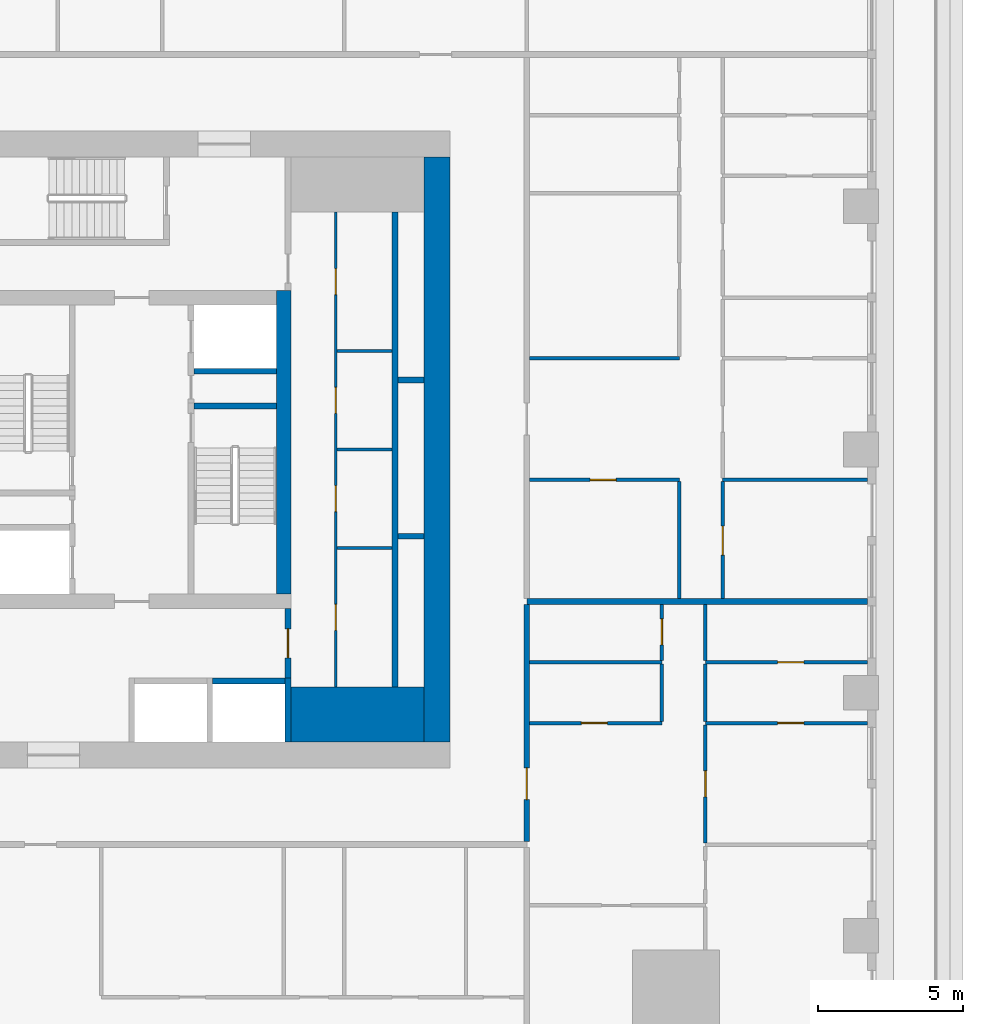
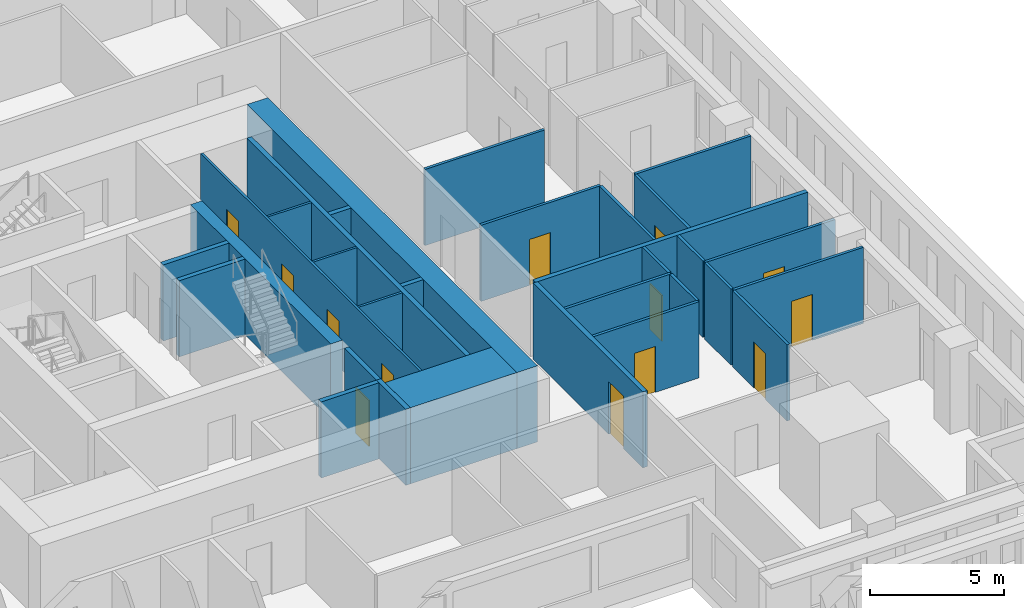
# One storey, part 5 of 14: 31 walls, 13 doors, 13 openings.
"""IFC4 building model written with IfcOpenShell, lengths in metres."""

from ifc_helpers import new_model, si_unit, direction, frame, frame_2d, origin, place, context, subcontext, project, spatial, rectangle, extrude, material, layer, layer_set, type_object, element, fill, save


model = new_model("IFC4")

# Units and contexts
model_context = context("Model", 3, precision=1e-05, world=origin(), true_north=direction((0.0, 1.0)))
body_context = subcontext(model_context, "Body", "Model", "MODEL_VIEW")
ifc_project = project(units=[si_unit("LENGTHUNIT", "METRE"), si_unit("AREAUNIT", "SQUARE_METRE"), si_unit("VOLUMEUNIT", "CUBIC_METRE"), si_unit("PLANEANGLEUNIT", "RADIAN"), si_unit("MASSUNIT", "GRAM", prefix="KILO")], contexts=[model_context])

# Site, building, storey
site_placement = place(None, origin())
site = spatial("IfcSite", under=ifc_project, at=site_placement, CompositionType="ELEMENT")
building_placement = place(site_placement, origin())
building = spatial("IfcBuilding", under=site, at=building_placement, Name="Khepri Terraces", CompositionType="ELEMENT")
storey_placement = place(building_placement, frame((0.0, 0.0, 62.10009765625)))
storey = spatial("IfcBuildingStorey", under=building, at=storey_placement, Name="L14", CompositionType="ELEMENT", Elevation=62.10009765625)

# Walls
ifc_material_1 = material(Name="Concrete C80/95", Category="concrete")
ifc_layer_1 = layer(ifc_material_1, 1.89990234375, Name="Concrete C80/95", Category="concrete")
ifc_layer_set_1 = layer_set([ifc_layer_1], Name="Concrete C80/95")
wall_type_1 = type_object("IfcWallType", Name="Core wall 1900 C80/95", PredefinedType="SHEAR", material=ifc_layer_set_1)
wall_1_placement = place(storey_placement, frame((5.5, -9.14990234375, 0.0), z_axis=(0.0, 0.0, 1.0), x_axis=(1.0, 0.0, 0.0)))
element("IfcWall", 1, at=wall_1_placement, inside=storey, type_object=wall_type_1, Name="Core wall PR02 L14", PredefinedType="SHEAR", context=body_context, shape_type="SweptSolid", body=[
    extrude(rectangle(XDim=4.60009765625, YDim=1.89990234375, at=frame_2d((2.300048828125, 0.0))), origin(), (0.0, 0.0, 1.0), 3.47998046875),
])
ifc_layer_2 = layer(ifc_material_1, 0.199951171875, Name="Concrete C80/95", Category="concrete")
ifc_layer_set_2 = layer_set([ifc_layer_2], Name="Concrete C80/95")
wall_type_2 = type_object("IfcWallType", Name="Core wall 200 C80/95", PredefinedType="SHEAR", material=ifc_layer_set_2)
wall_2_placement = place(storey_placement, frame((2.14990234375, 1.5, 0.0), z_axis=(0.0, 0.0, 1.0), x_axis=(1.0, 0.0, 0.0)))
element("IfcWall", 2, at=wall_2_placement, inside=storey, type_object=wall_type_2, Name="Core wall ST04 L14", PredefinedType="SHEAR", context=body_context, shape_type="SweptSolid", body=[
    extrude(rectangle(XDim=2.85009765625, YDim=0.199951171875, at=frame_2d((1.425048828125, 0.0))), origin(), (0.0, 0.0, 1.0), 3.47998046875),
])
wall_3_placement = place(storey_placement, frame((5.39990234375, -10.10009765625, 0.0), z_axis=(0.0, 0.0, 1.0), x_axis=(0.0, 1.0, 0.0)))
element("IfcWall", 3, at=wall_3_placement, inside=storey, type_object=wall_type_2, Name="Core wall SH03 L14", PredefinedType="SHEAR", context=body_context, shape_type="SweptSolid", body=[
    extrude(rectangle(XDim=2.2001953125, YDim=0.199951171875, at=frame_2d((1.10009765625, 0.0))), origin(), (0.0, 0.0, 1.0), 3.47998046875),
])
wall_4_placement = place(storey_placement, frame((9.10009765625, -8.199951171875, 0.0), z_axis=(0.0, 0.0, 1.0), x_axis=(0.0, 1.0, 0.0)))
element("IfcWall", 4, at=wall_4_placement, inside=storey, type_object=wall_type_2, Name="Core wall SH05 L14", PredefinedType="SHEAR", context=body_context, shape_type="SweptSolid", body=[
    extrude(rectangle(XDim=16.39990234375, YDim=0.199951171875, at=frame_2d((8.199951171875, 0.0))), origin(), (0.0, 0.0, 1.0), 3.47998046875),
])
wall_5_placement = place(storey_placement, frame((2.800048828125, -8.0, 0.0), z_axis=(0.0, 0.0, 1.0), x_axis=(1.0, 0.0, 0.0)))
element("IfcWall", 5, at=wall_5_placement, inside=storey, type_object=wall_type_2, Name="Core wall SH07 L14", PredefinedType="SHEAR", context=body_context, shape_type="SweptSolid", body=[
    extrude(rectangle(XDim=2.5, YDim=0.199951171875, at=frame_2d((1.25, 0.0))), origin(), (0.0, 0.0, 1.0), 3.47998046875),
])
for number, where, z_axis, x_axis, name in (
    (6, (9.199951171875, -3.0, 0.0), (0.0, 0.0, 1.0), (1.0, 0.0, 0.0), "Core wall SH11 L14"),
    (7, (9.199951171875, 2.39990234375, 0.0), (0.0, 0.0, 1.0), (1.0, 0.0, 0.0), "Core wall SH16 L14"),
):
    element("IfcWall", number, at=place(storey_placement, frame(where, z_axis=z_axis, x_axis=x_axis)), inside=storey, type_object=wall_type_2, Name=name, PredefinedType="SHEAR", context=body_context, shape_type="SweptSolid", body=[
        extrude(rectangle(XDim=0.900146484375, YDim=0.199951171875, at=frame_2d((0.4501953125, 0.0))), origin(), (0.0, 0.0, 1.0), 3.47998046875),
    ])
wall_6_placement = place(storey_placement, frame((2.14990234375, 2.699951171875, 0.0), z_axis=(0.0, 0.0, 1.0), x_axis=(1.0, 0.0, 0.0)))
element("IfcWall", 8, at=wall_6_placement, inside=storey, type_object=wall_type_2, Name="Core wall SH18 L14", PredefinedType="SHEAR", context=body_context, shape_type="SweptSolid", body=[
    extrude(rectangle(XDim=2.85009765625, YDim=0.199951171875, at=frame_2d((1.425048828125, 0.0))), origin(), (0.0, 0.0, 1.0), 3.47998046875),
])
ifc_layer_3 = layer(ifc_material_1, 0.5, Name="Concrete C80/95", Category="concrete")
ifc_layer_set_3 = layer_set([ifc_layer_3], Name="Concrete C80/95")
wall_type_3 = type_object("IfcWallType", Name="Core wall 500 C80/95", PredefinedType="SHEAR", material=ifc_layer_set_3)
wall_7_placement = place(storey_placement, frame((5.25, -5.0, 0.0), z_axis=(0.0, 0.0, 1.0), x_axis=(0.0, 1.0, 0.0)))
element("IfcWall", 9, at=wall_7_placement, inside=storey, type_object=wall_type_3, Name="Core wall BX03 L14", PredefinedType="SHEAR", context=body_context, shape_type="SweptSolid", body=[
    extrude(rectangle(XDim=10.5, YDim=0.5, at=frame_2d((5.25, 0.0))), origin(), (0.0, 0.0, 1.0), 3.47998046875),
])
ifc_layer_4 = layer(ifc_material_1, 0.89990234375, Name="Concrete C80/95", Category="concrete")
ifc_layer_set_4 = layer_set([ifc_layer_4], Name="Concrete C80/95")
wall_type_4 = type_object("IfcWallType", Name="Core wall 900 C80/95", PredefinedType="SHEAR", material=ifc_layer_set_4)
wall_8_placement = place(storey_placement, frame((10.550048828125, -10.10009765625, 0.0), z_axis=(0.0, 0.0, 1.0), x_axis=(0.0, 1.0, 0.0)))
element("IfcWall", 10, at=wall_8_placement, inside=storey, type_object=wall_type_4, Name="Core wall OW-E L14", PredefinedType="SHEAR", context=body_context, shape_type="SweptSolid", body=[
    extrude(rectangle(XDim=20.2001953125, YDim=0.89990234375, at=frame_2d((10.10009765625, 0.0))), origin(), (0.0, 0.0, 1.0), 3.47998046875),
])

# Wall, openings, doors
ifc_material_2 = material(Name="Fire-rated gypsum board partition")
ifc_layer_5 = layer(ifc_material_2, 0.10009765625, Name="Fire-rated gypsum board partition")
ifc_layer_set_5 = layer_set([ifc_layer_5], Name="Fire-rated gypsum board partition")
wall_type_5 = type_object("IfcWallType", Name="WL-CORE-PART-100", PredefinedType="PARTITIONING", material=ifc_layer_set_5)
wall_9_placement = place(storey_placement, frame((7.050048828125, -8.199951171875, 0.0), z_axis=(0.0, 0.0, 1.0), x_axis=(0.0, 1.0, 0.0)))
wall_9 = element("IfcWall", 11, at=wall_9_placement, inside=storey, type_object=wall_type_5, Name="Core partition PT02 L14", PredefinedType="PARTITIONING", context=body_context, shape_type="SweptSolid", body=[
    extrude(rectangle(XDim=16.39990234375, YDim=0.10009765625, at=frame_2d((8.199951171875, 0.0))), origin(), (0.0, 0.0, 1.0), 3.47998046875),
])
opening_1_placement = place(wall_9_placement, frame((1.949951171875, 0.0, 0.0)))
opening_1 = element("IfcOpeningElement", 12, at=opening_1_placement, cuts=wall_9, Name="Opening L14-C22", PredefinedType="OPENING", context=body_context, shape_type="SweptSolid", body=[
    extrude(rectangle(XDim=0.89990234375, YDim=2.10009765625, at=frame_2d((0.449951171875, 1.050048828125))), frame((0.0, 0.06005859375, 0.0), z_axis=(0.0, -1.0, 0.0), x_axis=(1.0, 0.0, 0.0)), (0.0, 0.0, 1.0), 0.1201171875),
])
opening_2_placement = place(wall_9_placement, frame((6.050048828125, 0.0, 0.0)))
opening_2 = element("IfcOpeningElement", 13, at=opening_2_placement, cuts=wall_9, Name="Opening L14-C23", PredefinedType="OPENING", context=body_context, shape_type="SweptSolid", body=[
    extrude(rectangle(XDim=0.89990234375, YDim=2.10009765625, at=frame_2d((0.449951171875, 1.050048828125))), frame((0.0, 0.06005859375, 0.0), z_axis=(0.0, -1.0, 0.0), x_axis=(1.0, 0.0, 0.0)), (0.0, 0.0, 1.0), 0.1201171875),
])
opening_3_placement = place(wall_9_placement, frame((9.449951171875, 0.0, 0.0)))
opening_3 = element("IfcOpeningElement", 14, at=opening_3_placement, cuts=wall_9, Name="Opening L14-C24", PredefinedType="OPENING", context=body_context, shape_type="SweptSolid", body=[
    extrude(rectangle(XDim=0.89990234375, YDim=2.10009765625, at=frame_2d((0.449951171875, 1.050048828125))), frame((0.0, 0.06005859375, 0.0), z_axis=(0.0, -1.0, 0.0), x_axis=(1.0, 0.0, 0.0)), (0.0, 0.0, 1.0), 0.1201171875),
])
opening_4_placement = place(wall_9_placement, frame((13.550048828125, 0.0, 0.0)))
opening_4 = element("IfcOpeningElement", 15, at=opening_4_placement, cuts=wall_9, Name="Opening L14-C25", PredefinedType="OPENING", context=body_context, shape_type="SweptSolid", body=[
    extrude(rectangle(XDim=0.89990234375, YDim=2.10009765625, at=frame_2d((0.449951171875, 1.050048828125))), frame((0.0, 0.06005859375, 0.0), z_axis=(0.0, -1.0, 0.0), x_axis=(1.0, 0.0, 0.0)), (0.0, 0.0, 1.0), 0.1201171875),
])
ifc_material_3 = material(Name="Painted steel", Category="steel")
door_type_1 = type_object("IfcDoorType", Name="DR-CORE-SERVICE-900", OperationType="NOTDEFINED", PredefinedType="DOOR", material=ifc_material_3)
door_1_placement = place(opening_1_placement, frame((0.89990234375, 0.0, 0.0), z_axis=(0.0, 0.0, 1.0), x_axis=(-1.0, 0.0, 0.0)))
door_1 = element("IfcDoor", 16, at=door_1_placement, inside=storey, type_object=door_type_1, Name="Service room door L14-C22", OperationType="SINGLE_SWING_RIGHT", OverallHeight=2.10009765625, OverallWidth=0.89990234375, PredefinedType="DOOR", context=body_context, shape_type="SweptSolid", body=[
    extrude(rectangle(XDim=0.89990234375, YDim=2.10009765625, at=frame_2d((0.449951171875, 1.050048828125))), frame((0.0, 0.02490234375, 0.0), z_axis=(0.0, -1.0, 0.0), x_axis=(1.0, 0.0, 0.0)), (0.0, 0.0, 1.0), 0.050048828125),
])
fill(opening_1, door_1)
door_2_placement = place(opening_2_placement, frame((0.89990234375, 0.0, 0.0), z_axis=(0.0, 0.0, 1.0), x_axis=(-1.0, 0.0, 0.0)))
door_2 = element("IfcDoor", 17, at=door_2_placement, inside=storey, type_object=door_type_1, Name="Service room door L14-C23", OperationType="SINGLE_SWING_RIGHT", OverallHeight=2.10009765625, OverallWidth=0.89990234375, PredefinedType="DOOR", context=body_context, shape_type="SweptSolid", body=[
    extrude(rectangle(XDim=0.89990234375, YDim=2.10009765625, at=frame_2d((0.449951171875, 1.050048828125))), frame((0.0, 0.02490234375, 0.0), z_axis=(0.0, -1.0, 0.0), x_axis=(1.0, 0.0, 0.0)), (0.0, 0.0, 1.0), 0.050048828125),
])
fill(opening_2, door_2)
door_3_placement = place(opening_3_placement, frame((0.89990234375, 0.0, 0.0), z_axis=(0.0, 0.0, 1.0), x_axis=(-1.0, 0.0, 0.0)))
door_3 = element("IfcDoor", 18, at=door_3_placement, inside=storey, type_object=door_type_1, Name="Service room door L14-C24", OperationType="SINGLE_SWING_LEFT", OverallHeight=2.10009765625, OverallWidth=0.89990234375, PredefinedType="DOOR", context=body_context, shape_type="SweptSolid", body=[
    extrude(rectangle(XDim=0.89990234375, YDim=2.10009765625, at=frame_2d((0.449951171875, 1.050048828125))), frame((0.0, 0.02490234375, 0.0), z_axis=(0.0, -1.0, 0.0), x_axis=(1.0, 0.0, 0.0)), (0.0, 0.0, 1.0), 0.050048828125),
])
fill(opening_3, door_3)
door_4_placement = place(opening_4_placement, frame((0.89990234375, 0.0, 0.0), z_axis=(0.0, 0.0, 1.0), x_axis=(-1.0, 0.0, 0.0)))
door_4 = element("IfcDoor", 19, at=door_4_placement, inside=storey, type_object=door_type_1, Name="Service room door L14-C25", OperationType="SINGLE_SWING_LEFT", OverallHeight=2.10009765625, OverallWidth=0.89990234375, PredefinedType="DOOR", context=body_context, shape_type="SweptSolid", body=[
    extrude(rectangle(XDim=0.89990234375, YDim=2.10009765625, at=frame_2d((0.449951171875, 1.050048828125))), frame((0.0, 0.02490234375, 0.0), z_axis=(0.0, -1.0, 0.0), x_axis=(1.0, 0.0, 0.0)), (0.0, 0.0, 1.0), 0.050048828125),
])
fill(opening_4, door_4)

# Walls
for number, where, z_axis, x_axis, name in (
    (20, (7.10009765625, -3.39990234375, 0.0), (0.0, 0.0, 1.0), (1.0, 0.0, 0.0), "Core partition PT04 L14"),
    (21, (7.10009765625, 0.0, 0.0), (0.0, 0.0, 1.0), (1.0, 0.0, 0.0), "Core partition PT05 L14"),
    (22, (7.10009765625, 3.39990234375, 0.0), (0.0, 0.0, 1.0), (1.0, 0.0, 0.0), "Core partition PT06 L14"),
):
    element("IfcWall", number, at=place(storey_placement, frame(where, z_axis=z_axis, x_axis=x_axis)), inside=storey, type_object=wall_type_5, Name=name, PredefinedType="PARTITIONING", context=body_context, shape_type="SweptSolid", body=[
        extrude(rectangle(XDim=1.89990234375, YDim=0.10009765625, at=frame_2d((0.949951171875, 0.0))), origin(), (0.0, 0.0, 1.0), 3.47998046875),
    ])

# Wall, opening, door
ifc_layer_6 = layer(ifc_material_2, 0.199951171875, Name="Fire-rated gypsum board partition")
ifc_layer_set_6 = layer_set([ifc_layer_6], Name="Fire-rated gypsum board partition")
wall_type_6 = type_object("IfcWallType", Name="WL-CORE-PART-200", PredefinedType="PARTITIONING", material=ifc_layer_set_6)
wall_10_placement = place(storey_placement, frame((5.39990234375, -7.89990234375, 0.0), z_axis=(0.0, 0.0, 1.0), x_axis=(0.0, 1.0, 0.0)))
wall_10 = element("IfcWall", 23, at=wall_10_placement, inside=storey, type_object=wall_type_6, Name="Core partition PT03 L14", PredefinedType="PARTITIONING", context=body_context, shape_type="SweptSolid", body=[
    extrude(rectangle(XDim=2.39990234375, YDim=0.199951171875, at=frame_2d((1.199951171875, 0.0))), origin(), (0.0, 0.0, 1.0), 3.47998046875),
])
opening_5_placement = place(wall_10_placement, frame((0.699951171875, 0.0, 0.0)))
opening_5 = element("IfcOpeningElement", 24, at=opening_5_placement, cuts=wall_10, Name="Opening L14-C19", PredefinedType="OPENING", context=body_context, shape_type="SweptSolid", body=[
    extrude(rectangle(XDim=1.0, YDim=2.10009765625, at=frame_2d((0.5, 1.050048828125))), frame((0.0, 0.10986328125, 0.0), z_axis=(0.0, -1.0, 0.0), x_axis=(1.0, 0.0, 0.0)), (0.0, 0.0, 1.0), 0.219970703125),
])
door_type_2 = type_object("IfcDoorType", Name="DR-CORE-LOBBY-1000", OperationType="NOTDEFINED", PredefinedType="DOOR", material=ifc_material_3)
door_5_placement = place(opening_5_placement, origin())
door_5 = element("IfcDoor", 25, at=door_5_placement, inside=storey, type_object=door_type_2, Name="Lobby door L14-C19", OperationType="SINGLE_SWING_RIGHT", OverallHeight=2.10009765625, OverallWidth=1.0, PredefinedType="DOOR", context=body_context, shape_type="SweptSolid", body=[
    extrude(rectangle(XDim=1.0, YDim=2.10009765625, at=frame_2d((0.5, 1.050048828125))), frame((0.0, 0.02490234375, 0.0), z_axis=(0.0, -1.0, 0.0), x_axis=(1.0, 0.0, 0.0)), (0.0, 0.0, 1.0), 0.050048828125),
])
fill(opening_5, door_5)

ifc_material_4 = material(Name="Fire-rated gypsum plasterboard partition, mineral wool")
ifc_layer_7 = layer(ifc_material_4, 0.199951171875, Name="Fire-rated gypsum plasterboard partition, mineral wool")
ifc_layer_set_7 = layer_set([ifc_layer_7], Name="Fire-rated gypsum plasterboard partition, mineral wool")
wall_type_7 = type_object("IfcWallType", Name="WL-CORR-200", PredefinedType="PARTITIONING", material=ifc_layer_set_7)
wall_11_placement = place(storey_placement, frame((13.64990234375, -13.550048828125, 0.0), z_axis=(0.0, 0.0, 1.0), x_axis=(0.0, 1.0, 0.0)))
wall_11 = element("IfcWall", 26, at=wall_11_placement, inside=storey, type_object=wall_type_7, Name="Partition P-024 L14", PredefinedType="PARTITIONING", context=body_context, shape_type="SweptSolid", body=[
    extrude(rectangle(XDim=8.199951171875, YDim=0.199951171875, at=frame_2d((4.10009765625, 0.0))), origin(), (0.0, 0.0, 1.0), 3.47998046875),
])
opening_6_placement = place(wall_11_placement, frame((1.449951171875, 0.0, 0.0)))
opening_6 = element("IfcOpeningElement", 27, at=opening_6_placement, cuts=wall_11, Name="Opening D1", PredefinedType="OPENING", context=body_context, shape_type="SweptSolid", body=[
    extrude(rectangle(XDim=1.10009765625, YDim=2.39990234375, at=frame_2d((0.550048828125, 1.199951171875))), frame((0.0, 0.10986328125, 0.0), z_axis=(0.0, -1.0, 0.0), x_axis=(1.0, 0.0, 0.0)), (0.0, 0.0, 1.0), 0.219970703125),
])
ifc_material_5 = material(Name="Solid-core timber door leaf, flat entrance door", Category="wood")
door_type_3 = type_object("IfcDoorType", Name="DR-ENT-1100", OperationType="NOTDEFINED", PredefinedType="DOOR", material=ifc_material_5)
door_6_placement = place(opening_6_placement, frame((1.10009765625, 0.0, 0.0), z_axis=(0.0, 0.0, 1.0), x_axis=(-1.0, 0.0, 0.0)))
door_6 = element("IfcDoor", 28, at=door_6_placement, inside=storey, type_object=door_type_3, Name="Flat B1 entrance door", OperationType="SINGLE_SWING_RIGHT", OverallHeight=2.39990234375, OverallWidth=1.10009765625, PredefinedType="DOOR", context=body_context, shape_type="SweptSolid", body=[
    extrude(rectangle(XDim=1.10009765625, YDim=2.39990234375, at=frame_2d((0.550048828125, 1.199951171875))), frame((0.0, 0.02490234375, 0.0), z_axis=(0.0, -1.0, 0.0), x_axis=(1.0, 0.0, 0.0)), (0.0, 0.0, 1.0), 0.050048828125),
])
fill(opening_6, door_6)

# Wall
wall_12_placement = place(storey_placement, frame((13.64990234375, -5.25, 0.0), z_axis=(0.0, 0.0, 1.0), x_axis=(1.0, 0.0, 0.0)))
element("IfcWall", 29, at=wall_12_placement, inside=storey, type_object=wall_type_7, Name="Partition P-041 L14", PredefinedType="PARTITIONING", context=body_context, shape_type="SweptSolid", body=[
    extrude(rectangle(XDim=11.77001953125, YDim=0.199951171875, at=frame_2d((5.885009765625, 0.0))), origin(), (0.0, 0.0, 1.0), 3.47998046875),
])

# Wall, opening, door
ifc_material_6 = material(Name="Gypsum plasterboard partition")
ifc_layer_8 = layer(ifc_material_6, 0.1201171875, Name="Gypsum plasterboard partition")
ifc_layer_set_8 = layer_set([ifc_layer_8], Name="Gypsum plasterboard partition")
wall_type_8 = type_object("IfcWallType", Name="WL-PART-120", PredefinedType="PARTITIONING", material=ifc_layer_set_8)
wall_13_placement = place(storey_placement, frame((19.820068359375, -13.590087890625, 0.0), z_axis=(0.0, 0.0, 1.0), x_axis=(0.0, 1.0, 0.0)))
wall_13 = element("IfcWall", 30, at=wall_13_placement, inside=storey, type_object=wall_type_8, Name="Partition P-020 L14", PredefinedType="PARTITIONING", context=body_context, shape_type="SweptSolid", body=[
    extrude(rectangle(XDim=4.080078125, YDim=0.1201171875, at=frame_2d((2.0400390625, 0.0))), origin(), (0.0, 0.0, 1.0), 3.47998046875),
])
opening_7_placement = place(wall_13_placement, frame((1.590087890625, 0.0, 0.0)))
opening_7 = element("IfcOpeningElement", 31, at=opening_7_placement, cuts=wall_13, Name="Opening D3", PredefinedType="OPENING", context=body_context, shape_type="SweptSolid", body=[
    extrude(rectangle(XDim=0.89990234375, YDim=2.10009765625, at=frame_2d((0.449951171875, 1.050048828125))), frame((0.0, 0.070068359375, 0.0), z_axis=(0.0, -1.0, 0.0), x_axis=(1.0, 0.0, 0.0)), (0.0, 0.0, 1.0), 0.14013671875),
])
ifc_material_7 = material(Name="Timber door leaf", Category="wood")
door_type_4 = type_object("IfcDoorType", Name="DR-INT-900", OperationType="NOTDEFINED", PredefinedType="DOOR", material=ifc_material_7)
door_7_placement = place(opening_7_placement, frame((0.89990234375, 0.0, 0.0), z_axis=(0.0, 0.0, 1.0), x_axis=(-1.0, 0.0, 0.0)))
door_7 = element("IfcDoor", 32, at=door_7_placement, inside=storey, type_object=door_type_4, Name="Door Master Bedroom", OperationType="SINGLE_SWING_RIGHT", OverallHeight=2.10009765625, OverallWidth=0.89990234375, PredefinedType="DOOR", context=body_context, shape_type="SweptSolid", body=[
    extrude(rectangle(XDim=0.89990234375, YDim=2.10009765625, at=frame_2d((0.449951171875, 1.050048828125))), frame((0.0, 0.02490234375, 0.0), z_axis=(0.0, -1.0, 0.0), x_axis=(1.0, 0.0, 0.0)), (0.0, 0.0, 1.0), 0.050048828125),
])
fill(opening_7, door_7)

wall_14_placement = place(storey_placement, frame((13.75, -9.449951171875, 0.0), z_axis=(0.0, 0.0, 1.0), x_axis=(1.0, 0.0, 0.0)))
wall_14 = element("IfcWall", 33, at=wall_14_placement, inside=storey, type_object=wall_type_8, Name="Partition P-030 L14", PredefinedType="PARTITIONING", context=body_context, shape_type="SweptSolid", body=[
    extrude(rectangle(XDim=4.570068359375, YDim=0.1201171875, at=frame_2d((2.28515625, 0.0))), origin(), (0.0, 0.0, 1.0), 3.47998046875),
])
opening_8_placement = place(wall_14_placement, frame((1.784912109375, 0.0, 0.0)))
opening_8 = element("IfcOpeningElement", 34, at=opening_8_placement, cuts=wall_14, Name="Opening D4", PredefinedType="OPENING", context=body_context, shape_type="SweptSolid", body=[
    extrude(rectangle(XDim=0.89990234375, YDim=2.10009765625, at=frame_2d((0.449951171875, 1.050048828125))), frame((0.0, 0.070068359375, 0.0), z_axis=(0.0, -1.0, 0.0), x_axis=(1.0, 0.0, 0.0)), (0.0, 0.0, 1.0), 0.14013671875),
])
ifc_material_8 = material(Name="Timber door leaf, moisture resistant", Category="wood")
door_type_5 = type_object("IfcDoorType", Name="DR-WET-900", OperationType="NOTDEFINED", PredefinedType="DOOR", material=ifc_material_8)
door_8_placement = place(opening_8_placement, origin())
door_8 = element("IfcDoor", 35, at=door_8_placement, inside=storey, type_object=door_type_5, Name="Door Guest Bathroom", OperationType="SINGLE_SWING_LEFT", OverallHeight=2.10009765625, OverallWidth=0.89990234375, PredefinedType="DOOR", context=body_context, shape_type="SweptSolid", body=[
    extrude(rectangle(XDim=0.89990234375, YDim=2.10009765625, at=frame_2d((0.449951171875, 1.050048828125))), frame((0.0, 0.02490234375, 0.0), z_axis=(0.0, -1.0, 0.0), x_axis=(1.0, 0.0, 0.0)), (0.0, 0.0, 1.0), 0.050048828125),
])
fill(opening_8, door_8)

wall_15_placement = place(storey_placement, frame((19.820068359375, -9.449951171875, 0.0), z_axis=(0.0, 0.0, 1.0), x_axis=(1.0, 0.0, 0.0)))
wall_15 = element("IfcWall", 36, at=wall_15_placement, inside=storey, type_object=wall_type_8, Name="Partition P-031 L14", PredefinedType="PARTITIONING", context=body_context, shape_type="SweptSolid", body=[
    extrude(rectangle(XDim=5.599853515625, YDim=0.1201171875, at=frame_2d((2.7998046875, 0.0))), origin(), (0.0, 0.0, 1.0), 3.47998046875),
])
opening_9_placement = place(wall_15_placement, frame((2.5, 0.0, 0.0)))
opening_9 = element("IfcOpeningElement", 37, at=opening_9_placement, cuts=wall_15, Name="Opening D3", PredefinedType="OPENING", context=body_context, shape_type="SweptSolid", body=[
    extrude(rectangle(XDim=0.89990234375, YDim=2.10009765625, at=frame_2d((0.449951171875, 1.050048828125))), frame((0.0, 0.070068359375, 0.0), z_axis=(0.0, -1.0, 0.0), x_axis=(1.0, 0.0, 0.0)), (0.0, 0.0, 1.0), 0.14013671875),
])
door_9_placement = place(opening_9_placement, origin())
door_9 = element("IfcDoor", 38, at=door_9_placement, inside=storey, type_object=door_type_4, Name="Door Dressing Room", OperationType="SINGLE_SWING_RIGHT", OverallHeight=2.10009765625, OverallWidth=0.89990234375, PredefinedType="DOOR", context=body_context, shape_type="SweptSolid", body=[
    extrude(rectangle(XDim=0.89990234375, YDim=2.10009765625, at=frame_2d((0.449951171875, 1.050048828125))), frame((0.0, 0.02490234375, 0.0), z_axis=(0.0, -1.0, 0.0), x_axis=(1.0, 0.0, 0.0)), (0.0, 0.0, 1.0), 0.050048828125),
])
fill(opening_9, door_9)

# Walls
for number, where, z_axis, x_axis, name in (
    (39, (18.320068359375, -9.389892578125, 0.0), (0.0, 0.0, 1.0), (0.0, 1.0, 0.0), "Partition P-033 L14"),
    (40, (19.820068359375, -9.389892578125, 0.0), (0.0, 0.0, 1.0), (0.0, 1.0, 0.0), "Partition P-034 L14"),
):
    element("IfcWall", number, at=place(storey_placement, frame(where, z_axis=z_axis, x_axis=x_axis)), inside=storey, type_object=wall_type_8, Name=name, PredefinedType="PARTITIONING", context=body_context, shape_type="SweptSolid", body=[
        extrude(rectangle(XDim=1.97998046875, YDim=0.1201171875, at=frame_2d((0.989990234375, 0.0))), origin(), (0.0, 0.0, 1.0), 3.47998046875),
    ])
wall_16_placement = place(storey_placement, frame((13.75, -7.35009765625, 0.0), z_axis=(0.0, 0.0, 1.0), x_axis=(1.0, 0.0, 0.0)))
element("IfcWall", 41, at=wall_16_placement, inside=storey, type_object=wall_type_8, Name="Partition P-037 L14", PredefinedType="PARTITIONING", context=body_context, shape_type="SweptSolid", body=[
    extrude(rectangle(XDim=4.570068359375, YDim=0.1201171875, at=frame_2d((2.28515625, 0.0))), origin(), (0.0, 0.0, 1.0), 3.47998046875),
])

# Wall, opening, door
wall_17_placement = place(storey_placement, frame((19.820068359375, -7.35009765625, 0.0), z_axis=(0.0, 0.0, 1.0), x_axis=(1.0, 0.0, 0.0)))
wall_17 = element("IfcWall", 42, at=wall_17_placement, inside=storey, type_object=wall_type_8, Name="Partition P-038 L14", PredefinedType="PARTITIONING", context=body_context, shape_type="SweptSolid", body=[
    extrude(rectangle(XDim=5.599853515625, YDim=0.1201171875, at=frame_2d((2.7998046875, 0.0))), origin(), (0.0, 0.0, 1.0), 3.47998046875),
])
opening_10_placement = place(wall_17_placement, frame((2.5, 0.0, 0.0)))
opening_10 = element("IfcOpeningElement", 43, at=opening_10_placement, cuts=wall_17, Name="Opening D4", PredefinedType="OPENING", context=body_context, shape_type="SweptSolid", body=[
    extrude(rectangle(XDim=0.89990234375, YDim=2.10009765625, at=frame_2d((0.449951171875, 1.050048828125))), frame((0.0, 0.070068359375, 0.0), z_axis=(0.0, -1.0, 0.0), x_axis=(1.0, 0.0, 0.0)), (0.0, 0.0, 1.0), 0.14013671875),
])
door_10_placement = place(opening_10_placement, origin())
door_10 = element("IfcDoor", 44, at=door_10_placement, inside=storey, type_object=door_type_5, Name="Door Bathroom", OperationType="SINGLE_SWING_RIGHT", OverallHeight=2.10009765625, OverallWidth=0.89990234375, PredefinedType="DOOR", context=body_context, shape_type="SweptSolid", body=[
    extrude(rectangle(XDim=0.89990234375, YDim=2.10009765625, at=frame_2d((0.449951171875, 1.050048828125))), frame((0.0, 0.02490234375, 0.0), z_axis=(0.0, -1.0, 0.0), x_axis=(1.0, 0.0, 0.0)), (0.0, 0.0, 1.0), 0.050048828125),
])
fill(opening_10, door_10)

wall_18_placement = place(storey_placement, frame((18.320068359375, -7.2900390625, 0.0), z_axis=(0.0, 0.0, 1.0), x_axis=(0.0, 1.0, 0.0)))
wall_18 = element("IfcWall", 45, at=wall_18_placement, inside=storey, type_object=wall_type_8, Name="Partition P-039 L14", PredefinedType="PARTITIONING", context=body_context, shape_type="SweptSolid", body=[
    extrude(rectangle(XDim=1.93994140625, YDim=0.1201171875, at=frame_2d((0.969970703125, 0.0))), origin(), (0.0, 0.0, 1.0), 3.47998046875),
])
opening_11_placement = place(wall_18_placement, frame((0.5400390625, 0.0, 0.0)))
opening_11 = element("IfcOpeningElement", 46, at=opening_11_placement, cuts=wall_18, Name="Opening D3", PredefinedType="OPENING", context=body_context, shape_type="SweptSolid", body=[
    extrude(rectangle(XDim=0.89990234375, YDim=2.10009765625, at=frame_2d((0.449951171875, 1.050048828125))), frame((0.0, 0.070068359375, 0.0), z_axis=(0.0, -1.0, 0.0), x_axis=(1.0, 0.0, 0.0)), (0.0, 0.0, 1.0), 0.14013671875),
])
door_11_placement = place(opening_11_placement, origin())
door_11 = element("IfcDoor", 47, at=door_11_placement, inside=storey, type_object=door_type_4, Name="Door Kitchen", OperationType="SINGLE_SWING_RIGHT", OverallHeight=2.10009765625, OverallWidth=0.89990234375, PredefinedType="DOOR", context=body_context, shape_type="SweptSolid", body=[
    extrude(rectangle(XDim=0.89990234375, YDim=2.10009765625, at=frame_2d((0.449951171875, 1.050048828125))), frame((0.0, 0.02490234375, 0.0), z_axis=(0.0, -1.0, 0.0), x_axis=(1.0, 0.0, 0.0)), (0.0, 0.0, 1.0), 0.050048828125),
])
fill(opening_11, door_11)

# Walls
wall_19_placement = place(storey_placement, frame((19.820068359375, -7.2900390625, 0.0), z_axis=(0.0, 0.0, 1.0), x_axis=(0.0, 1.0, 0.0)))
element("IfcWall", 48, at=wall_19_placement, inside=storey, type_object=wall_type_8, Name="Partition P-040 L14", PredefinedType="PARTITIONING", context=body_context, shape_type="SweptSolid", body=[
    extrude(rectangle(XDim=1.93994140625, YDim=0.1201171875, at=frame_2d((0.969970703125, 0.0))), origin(), (0.0, 0.0, 1.0), 3.47998046875),
])
wall_20_placement = place(storey_placement, frame((18.919921875, -5.14990234375, 0.0), z_axis=(0.0, 0.0, 1.0), x_axis=(0.0, 1.0, 0.0)))
element("IfcWall", 49, at=wall_20_placement, inside=storey, type_object=wall_type_8, Name="Partition P-043 L14", PredefinedType="PARTITIONING", context=body_context, shape_type="SweptSolid", body=[
    extrude(rectangle(XDim=4.039794921875, YDim=0.1201171875, at=frame_2d((2.02001953125, 0.0))), origin(), (0.0, 0.0, 1.0), 3.47998046875),
])

# Wall, opening, door
wall_21_placement = place(storey_placement, frame((20.419921875, -5.14990234375, 0.0), z_axis=(0.0, 0.0, 1.0), x_axis=(0.0, 1.0, 0.0)))
wall_21 = element("IfcWall", 50, at=wall_21_placement, inside=storey, type_object=wall_type_8, Name="Partition P-044 L14", PredefinedType="PARTITIONING", context=body_context, shape_type="SweptSolid", body=[
    extrude(rectangle(XDim=4.039794921875, YDim=0.1201171875, at=frame_2d((2.02001953125, 0.0))), origin(), (0.0, 0.0, 1.0), 3.47998046875),
])
opening_12_placement = place(wall_21_placement, frame((1.5, 0.0, 0.0)))
opening_12 = element("IfcOpeningElement", 51, at=opening_12_placement, cuts=wall_21, Name="Opening D2", PredefinedType="OPENING", context=body_context, shape_type="SweptSolid", body=[
    extrude(rectangle(XDim=1.0, YDim=2.10009765625, at=frame_2d((0.5, 1.050048828125))), frame((0.0, 0.070068359375, 0.0), z_axis=(0.0, -1.0, 0.0), x_axis=(1.0, 0.0, 0.0)), (0.0, 0.0, 1.0), 0.14013671875),
])
ifc_material_9 = material(Name="Timber door leaf, living room door", Category="wood")
door_type_6 = type_object("IfcDoorType", Name="DR-INT-1000", OperationType="NOTDEFINED", PredefinedType="DOOR", material=ifc_material_9)
door_12_placement = place(opening_12_placement, frame((1.0, 0.0, 0.0), z_axis=(0.0, 0.0, 1.0), x_axis=(-1.0, 0.0, 0.0)))
door_12 = element("IfcDoor", 52, at=door_12_placement, inside=storey, type_object=door_type_6, Name="Door Living Room", OperationType="SINGLE_SWING_RIGHT", OverallHeight=2.10009765625, OverallWidth=1.0, PredefinedType="DOOR", context=body_context, shape_type="SweptSolid", body=[
    extrude(rectangle(XDim=1.0, YDim=2.10009765625, at=frame_2d((0.5, 1.050048828125))), frame((0.0, 0.02490234375, 0.0), z_axis=(0.0, -1.0, 0.0), x_axis=(1.0, 0.0, 0.0)), (0.0, 0.0, 1.0), 0.050048828125),
])
fill(opening_12, door_12)

wall_22_placement = place(storey_placement, frame((13.75, -1.050048828125, 0.0), z_axis=(0.0, 0.0, 1.0), x_axis=(1.0, 0.0, 0.0)))
wall_22 = element("IfcWall", 53, at=wall_22_placement, inside=storey, type_object=wall_type_8, Name="Partition P-048 L14", PredefinedType="PARTITIONING", context=body_context, shape_type="SweptSolid", body=[
    extrude(rectangle(XDim=5.169921875, YDim=0.1201171875, at=frame_2d((2.5849609375, 0.0))), origin(), (0.0, 0.0, 1.0), 3.47998046875),
])
opening_13_placement = place(wall_22_placement, frame((2.0849609375, 0.0, 0.0)))
opening_13 = element("IfcOpeningElement", 54, at=opening_13_placement, cuts=wall_22, Name="Opening D3", PredefinedType="OPENING", context=body_context, shape_type="SweptSolid", body=[
    extrude(rectangle(XDim=0.89990234375, YDim=2.10009765625, at=frame_2d((0.449951171875, 1.050048828125))), frame((0.0, 0.070068359375, 0.0), z_axis=(0.0, -1.0, 0.0), x_axis=(1.0, 0.0, 0.0)), (0.0, 0.0, 1.0), 0.14013671875),
])
door_13_placement = place(opening_13_placement, frame((0.89990234375, 0.0, 0.0), z_axis=(0.0, 0.0, 1.0), x_axis=(-1.0, 0.0, 0.0)))
door_13 = element("IfcDoor", 55, at=door_13_placement, inside=storey, type_object=door_type_4, Name="Door Staff Bedroom", OperationType="SINGLE_SWING_RIGHT", OverallHeight=2.10009765625, OverallWidth=0.89990234375, PredefinedType="DOOR", context=body_context, shape_type="SweptSolid", body=[
    extrude(rectangle(XDim=0.89990234375, YDim=2.10009765625, at=frame_2d((0.449951171875, 1.050048828125))), frame((0.0, 0.02490234375, 0.0), z_axis=(0.0, -1.0, 0.0), x_axis=(1.0, 0.0, 0.0)), (0.0, 0.0, 1.0), 0.050048828125),
])
fill(opening_13, door_13)

# Walls
wall_23_placement = place(storey_placement, frame((20.419921875, -1.050048828125, 0.0), z_axis=(0.0, 0.0, 1.0), x_axis=(1.0, 0.0, 0.0)))
element("IfcWall", 56, at=wall_23_placement, inside=storey, type_object=wall_type_8, Name="Partition P-049 L14", PredefinedType="PARTITIONING", context=body_context, shape_type="SweptSolid", body=[
    extrude(rectangle(XDim=5.0, YDim=0.1201171875, at=frame_2d((2.5, 0.0))), origin(), (0.0, 0.0, 1.0), 3.47998046875),
])
wall_24_placement = place(storey_placement, frame((13.75, 3.14990234375, 0.0), z_axis=(0.0, 0.0, 1.0), x_axis=(1.0, 0.0, 0.0)))
element("IfcWall", 57, at=wall_24_placement, inside=storey, type_object=wall_type_8, Name="Partition P-053 L14", PredefinedType="PARTITIONING", context=body_context, shape_type="SweptSolid", body=[
    extrude(rectangle(XDim=5.169921875, YDim=0.1201171875, at=frame_2d((2.5849609375, 0.0))), origin(), (0.0, 0.0, 1.0), 3.47998046875),
])

save(model, "model.ifc")
